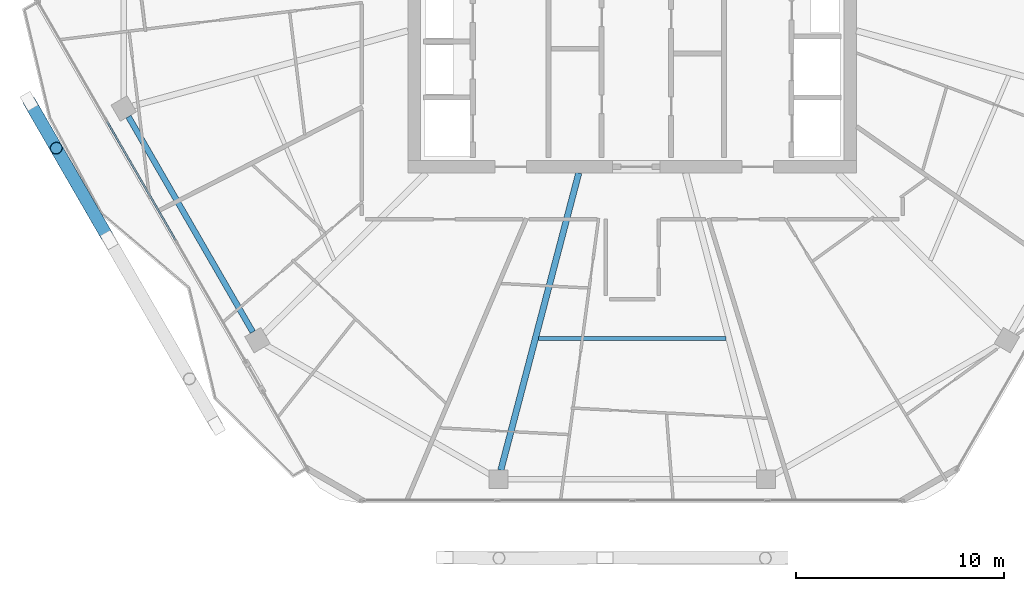
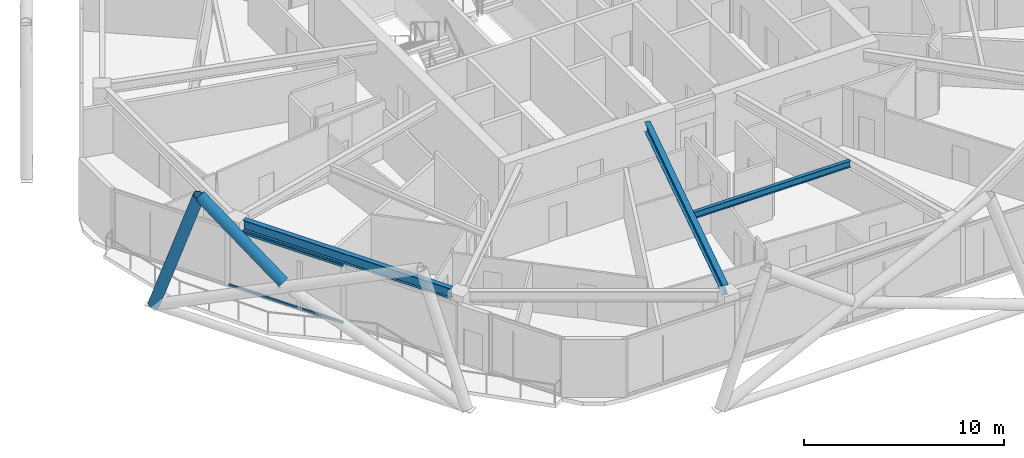
# One storey, part 5 of 27: 4 members, 3 beams, 1 element without a shape of its own.
"""IFC4 building model written with IfcOpenShell, lengths in metres."""

from ifc_helpers import new_model, si_unit, direction, frame, origin, origin_2d, place, context, subcontext, project, spatial, hollow_rectangle, hollow_circle, i_section, extrude, material, material_profile, profile_set, type_object, element, aggregate, save


model = new_model("IFC4")

# Units and contexts
model_context = context("Model", 3, precision=1e-05, world=origin(), true_north=direction((0.0, 1.0)))
body_context = subcontext(model_context, "Body", "Model", "MODEL_VIEW")
ifc_project = project(units=[si_unit("LENGTHUNIT", "METRE"), si_unit("AREAUNIT", "SQUARE_METRE"), si_unit("VOLUMEUNIT", "CUBIC_METRE"), si_unit("PLANEANGLEUNIT", "RADIAN"), si_unit("MASSUNIT", "GRAM", prefix="KILO")], contexts=[model_context])

# Site, building, storey
site_placement = place(None, origin())
site = spatial("IfcSite", under=ifc_project, at=site_placement, CompositionType="ELEMENT")
building_placement = place(site_placement, origin())
building = spatial("IfcBuilding", under=site, at=building_placement, Name="Zuhravey Tower", CompositionType="ELEMENT")
storey_placement = place(building_placement, frame((0.0, 0.0, 261.60009765625)))
storey = spatial("IfcBuildingStorey", under=building, at=storey_placement, Name="L66", CompositionType="ELEMENT", Elevation=261.60009765625)

# Curtain wall, members
ifc_material_1 = material(Name="Thermally broken anodised aluminium", Category="aluminium")
curtain_wall_type = type_object("IfcCurtainWallType", Name="Zone 3-4 High-Rise Curtain Wall CW4", PredefinedType="NOTDEFINED", material=ifc_material_1)
curtain_wall_placement = place(storey_placement, origin())
curtain_wall = element("IfcCurtainWall", 1, at=curtain_wall_placement, inside=storey, type_object=curtain_wall_type, Name="L66 CW4 CW-L66-F4-2", PredefinedType="NOTDEFINED")
ifc_material_2 = material(Name="Anodised aluminium", Category="aluminium")
ifc_material_profile_1 = material_profile(ifc_material_2, hollow_rectangle(XDim=0.090087890625, YDim=0.14990234375, WallThickness=0.0048828125, at=origin_2d()), Name="ALU-RHS-90x150x5")
ifc_profile_set_1 = profile_set([ifc_material_profile_1], Name="Anodised aluminium")
member_type_1 = type_object("IfcMemberType", Name="Curtain-Wall Transom 90x150", PredefinedType="USERDEFINED", material=ifc_profile_set_1)
member_1_placement = place(storey_placement, frame((14.013427734375, 18.954833984375, 0.044921875), z_axis=(-0.500031338864, 0.866007309527, 0.0), x_axis=(-0.866007309527, -0.500031338864, 0.0)))
member_1 = element("IfcMember", 2, at=member_1_placement, type_object=member_type_1, Name="CW4 transom 2.1", ObjectType="TRANSOM", PredefinedType="USERDEFINED", context=body_context, shape_type="SweptSolid", body=[
    extrude(hollow_rectangle(XDim=0.090087890625, YDim=0.14990234375, WallThickness=0.0048828125, at=origin_2d()), origin(), (0.0, 0.0, 1.0), 6.5908203125),
])
member_2_placement = place(storey_placement, frame((14.013427734375, 18.954833984375, 3.5048828125), z_axis=(-0.500031338864, 0.866007309527, 0.0), x_axis=(-0.866007309527, -0.500031338864, 0.0)))
member_2 = element("IfcMember", 3, at=member_2_placement, type_object=member_type_1, Name="CW4 transom 2.2", ObjectType="TRANSOM", PredefinedType="USERDEFINED", context=body_context, shape_type="SweptSolid", body=[
    extrude(hollow_rectangle(XDim=0.090087890625, YDim=0.14990234375, WallThickness=0.0048828125, at=origin_2d()), origin(), (0.0, 0.0, 1.0), 6.5908203125),
])
aggregate(curtain_wall, [member_1, member_2])

# Members
ifc_material_3 = material(Name="Steel SM355", Category="steel")
ifc_material_profile_2 = material_profile(ifc_material_3, hollow_circle(Radius=0.3046875, WallThickness=0.028076171875, at=origin_2d()), Name="CHS-609.6x28")
ifc_profile_set_2 = profile_set([ifc_material_profile_2], Name="Steel SM355")
member_type_2 = type_object("IfcMemberType", Name="Exoskeleton Zone 3 Diagrid CHS610x28", PredefinedType="BRACE", material=ifc_profile_set_2)
member_3_placement = place(storey_placement, frame((6.959716796875, 25.652099609375, -0.446044921875), z_axis=(0.163030622365, -0.282366718953, 0.945351813982), x_axis=(0.866017274468, 0.500014080125, 0.0)))
element("IfcMember", 4, at=member_3_placement, inside=storey, type_object=member_type_2, Name="L66 Face 4 Diagrid Brace 1", PredefinedType="BRACE", context=body_context, shape_type="SweptSolid", body=[
    extrude(hollow_circle(Radius=0.3046875, WallThickness=0.028076171875, at=origin_2d()), origin(), (0.0, 0.0, 1.0), 8.001220703125),
])
member_4_placement = place(storey_placement, frame((10.697509765625, 19.17822265625, 3.51220703125), z_axis=(-0.400881411374, 0.694285413611, 0.597713860021), x_axis=(-0.866006207073, -0.500033248206, 0.0)))
element("IfcMember", 5, at=member_4_placement, inside=storey, type_object=member_type_2, Name="L66 Face 4 Split Diagrid Brace 3B", PredefinedType="BRACE", context=body_context, shape_type="SweptSolid", body=[
    extrude(hollow_circle(Radius=0.3046875, WallThickness=0.028076171875, at=origin_2d()), origin(), (0.0, 0.0, 1.0), 6.02197265625),
])

# Beams
ifc_material_profile_3 = material_profile(ifc_material_3, i_section(OverallWidth=0.280029296875, OverallDepth=0.6201171875, WebThickness=0.011962890625, FlangeThickness=0.02001953125, at=origin_2d()), Name="H-620x280x12x20")
ifc_profile_set_3 = profile_set([ifc_material_profile_3], Name="Steel SM355")
beam_type_1 = type_object("IfcBeamType", Name="Perimeter Ring Beam H620x280", PredefinedType="BEAM", material=ifc_profile_set_3)
beam_1_placement = place(storey_placement, frame((11.741943359375, 24.90869140625, 3.239990234375), z_axis=(0.500017744717, -0.866015158625, 0.0), x_axis=(0.866015158625, 0.500017744717, 0.0)))
element("IfcBeam", 6, at=beam_1_placement, inside=storey, type_object=beam_type_1, Name="L66 PB3 BM-L66-PB-07", PredefinedType="BEAM", context=body_context, shape_type="SweptSolid", body=[
    extrude(i_section(OverallWidth=0.280029296875, OverallDepth=0.6201171875, WebThickness=0.011962890625, FlangeThickness=0.02001953125, at=origin_2d()), origin(), (0.0, 0.0, 1.0), 11.9755859375),
])
ifc_material_profile_4 = material_profile(ifc_material_3, i_section(OverallWidth=0.300048828125, OverallDepth=0.60009765625, WebThickness=0.011962890625, FlangeThickness=0.02001953125, at=origin_2d()), Name="H-600x300x12x20")
ifc_profile_set_4 = profile_set([ifc_material_profile_4], Name="Steel SM355")
beam_type_2 = type_object("IfcBeamType", Name="Radial Primary Girder H600x300", PredefinedType="BEAM", material=ifc_profile_set_4)
beam_2_placement = place(storey_placement, frame((33.428466796875, 22.197021484375, 3.25), z_axis=(-0.253731415841, -0.967274712073, 0.0), x_axis=(0.967274712073, -0.253731415841, 0.0)))
element("IfcBeam", 7, at=beam_2_placement, inside=storey, type_object=beam_type_2, Name="L66 RG3 BM-L66-RAD-09", PredefinedType="BEAM", context=body_context, shape_type="SweptSolid", body=[
    extrude(i_section(OverallWidth=0.300048828125, OverallDepth=0.60009765625, WebThickness=0.011962890625, FlangeThickness=0.02001953125, at=origin_2d()), origin(), (0.0, 0.0, 1.0), 14.796630859375),
])
ifc_material_profile_5 = material_profile(ifc_material_3, i_section(OverallWidth=0.199951171875, OverallDepth=0.39990234375, WebThickness=0.008056640625, FlangeThickness=0.012939453125, at=origin_2d()), Name="H-400x200x8x13")
ifc_profile_set_5 = profile_set([ifc_material_profile_5], Name="Steel SM355")
beam_type_3 = type_object("IfcBeamType", Name="Secondary Floor Joist H400x200", PredefinedType="JOIST", material=ifc_profile_set_5)
beam_3_placement = place(storey_placement, frame((31.492919921875, 14.231689453125, 3.349853515625), z_axis=(1.0, 0.0, 0.0), x_axis=(0.0, 1.0, 0.0)))
element("IfcBeam", 8, at=beam_3_placement, inside=storey, type_object=beam_type_3, Name="L66 SJ2 BM-L66-SJ-09-1", PredefinedType="JOIST", context=body_context, shape_type="SweptSolid", body=[
    extrude(i_section(OverallWidth=0.199951171875, OverallDepth=0.39990234375, WebThickness=0.008056640625, FlangeThickness=0.012939453125, at=origin_2d()), origin(), (0.0, 0.0, 1.0), 9.01416015625),
])

save(model, "model.ifc")
